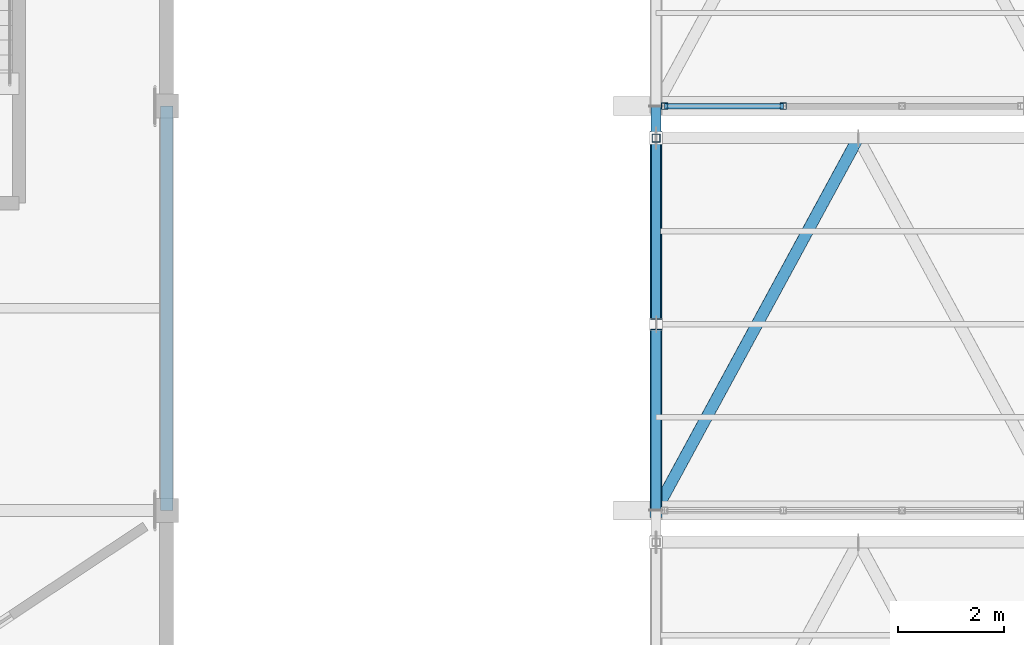
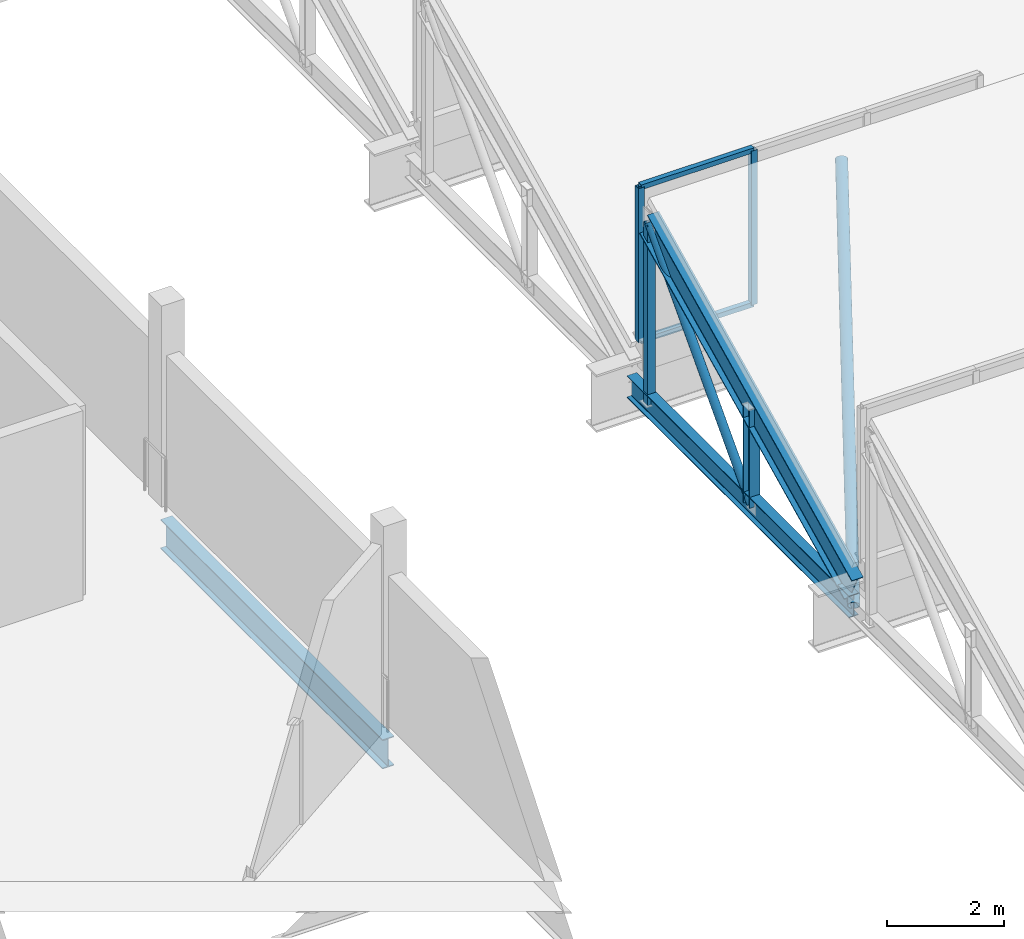
# One storey, part 10 of 57: 10 members, 1 beam, 1 element without a shape of its own.
"""IFC4 building model written with IfcOpenShell, lengths in metres."""

from ifc_helpers import new_model, si_unit, direction, frame, origin, origin_2d, place, context, subcontext, project, spatial, hollow_rectangle, hollow_circle, i_section, extrude, material, material_profile, profile_set, type_object, element, aggregate, save


model = new_model("IFC4")

# Units and contexts
model_context = context("Model", 3, precision=1e-05, world=origin(), true_north=direction((0.0, 1.0)))
body_context = subcontext(model_context, "Body", "Model", "MODEL_VIEW")
ifc_project = project(units=[si_unit("LENGTHUNIT", "METRE"), si_unit("AREAUNIT", "SQUARE_METRE"), si_unit("VOLUMEUNIT", "CUBIC_METRE"), si_unit("PLANEANGLEUNIT", "RADIAN"), si_unit("MASSUNIT", "GRAM", prefix="KILO")], contexts=[model_context])

# Site, building, storey
site_placement = place(None, origin())
site = spatial("IfcSite", under=ifc_project, at=site_placement, CompositionType="ELEMENT")
building_placement = place(site_placement, origin())
building = spatial("IfcBuilding", under=site, at=building_placement, Name="Zuvorla Pavilion Media Centre", CompositionType="ELEMENT")
storey_placement = place(building_placement, frame((0.0, 0.0, 18.0)))
storey = spatial("IfcBuildingStorey", under=building, at=storey_placement, Name="L04", CompositionType="ELEMENT", Elevation=18.0)

# Beam
ifc_material_1 = material(Name="Steel S355", Category="steel")
ifc_material_profile_1 = material_profile(ifc_material_1, i_section(OverallWidth=0.22900390625, OverallDepth=0.6123046875, WebThickness=0.011962890625, FlangeThickness=0.01953125, FilletRadius=0.0126953125, at=origin_2d()), Name="UB 610x229x125")
ifc_profile_set_1 = profile_set([ifc_material_profile_1], Name="Steel S355")
beam_type = type_object("IfcBeamType", Name="BM-UB610", PredefinedType="BEAM", material=ifc_profile_set_1)
beam_placement = place(storey_placement, frame((108.800048828125, 21.199951171875, -0.734130859375), z_axis=(0.0, 1.0, 0.0), x_axis=(-1.0, 0.0, 0.0)))
element("IfcBeam", 1, at=beam_placement, inside=storey, type_object=beam_type, Name="L04 beam B07 1451", PredefinedType="BEAM", context=body_context, shape_type="SweptSolid", body=[
    extrude(i_section(OverallWidth=0.22900390625, OverallDepth=0.6123046875, WebThickness=0.011962890625, FlangeThickness=0.01953125, FilletRadius=0.0126953125, at=origin_2d()), origin(), (0.0, 0.0, 1.0), 7.60009765625),
])

# Curtain wall, members
ifc_material_2 = material(Name="Unitised anodised aluminium and solar glass curtain wall", Category="aluminium")
curtain_wall_type = type_object("IfcCurtainWallType", Name="CW-SYS-90", PredefinedType="USERDEFINED", material=ifc_material_2)
curtain_wall_placement = place(storey_placement, origin())
curtain_wall = element("IfcCurtainWall", 2, at=curtain_wall_placement, inside=storey, type_object=curtain_wall_type, Name="L04 curtain wall CW90 235", ObjectType="CURTAIN WALL", PredefinedType="USERDEFINED")
ifc_material_3 = material(Name="Anodised aluminium 6063-T6", Category="aluminium")
ifc_material_profile_2 = material_profile(ifc_material_3, hollow_rectangle(XDim=0.1201171875, YDim=0.1201171875, WallThickness=0.0048828125, at=origin_2d()), Name="ALU MULL 120x120")
ifc_profile_set_2 = profile_set([ifc_material_profile_2], Name="Anodised aluminium 6063-T6")
member_type_1 = type_object("IfcMemberType", Name="CW-MULL-120", PredefinedType="MULLION", material=ifc_profile_set_2)
member_1_placement = place(storey_placement, frame((118.159912109375, 28.800048828125, 0.0), z_axis=(0.0, 0.0, 1.0), x_axis=(1.0, 0.0, 0.0)))
member_1 = element("IfcMember", 3, at=member_1_placement, type_object=member_type_1, Name="CW90 mullion 1", PredefinedType="MULLION", context=body_context, shape_type="SweptSolid", body=[
    extrude(hollow_rectangle(XDim=0.1201171875, YDim=0.1201171875, WallThickness=0.0048828125, at=origin_2d()), origin(), (0.0, 0.0, 1.0), 3.219970703125),
])
member_2_placement = place(storey_placement, frame((120.391845703125, 28.800048828125, 0.0), z_axis=(0.0, 0.0, 1.0), x_axis=(1.0, 0.0, 0.0)))
member_2 = element("IfcMember", 4, at=member_2_placement, type_object=member_type_1, Name="CW90 mullion 2", PredefinedType="MULLION", context=body_context, shape_type="SweptSolid", body=[
    extrude(hollow_rectangle(XDim=0.1201171875, YDim=0.1201171875, WallThickness=0.0048828125, at=origin_2d()), origin(), (0.0, 0.0, 1.0), 3.219970703125),
])
ifc_material_profile_3 = material_profile(ifc_material_3, hollow_rectangle(XDim=0.10009765625, YDim=0.10009765625, WallThickness=0.00439453125, at=origin_2d()), Name="ALU TRAN 100x100")
ifc_profile_set_3 = profile_set([ifc_material_profile_3], Name="Anodised aluminium 6063-T6")
member_type_2 = type_object("IfcMemberType", Name="CW-TRAN-100", PredefinedType="USERDEFINED", material=ifc_profile_set_3)
member_3_placement = place(storey_placement, frame((118.159912109375, 28.800048828125, 0.0), z_axis=(1.0, 0.0, 0.0), x_axis=(0.0, 1.0, 0.0)))
member_3 = element("IfcMember", 5, at=member_3_placement, type_object=member_type_2, Name="CW90 transom 1.1", ObjectType="TRANSOM", PredefinedType="USERDEFINED", context=body_context, shape_type="SweptSolid", body=[
    extrude(hollow_rectangle(XDim=0.10009765625, YDim=0.10009765625, WallThickness=0.00439453125, at=origin_2d()), origin(), (0.0, 0.0, 1.0), 2.23193359375),
])
member_4_placement = place(storey_placement, frame((118.159912109375, 28.800048828125, 3.219970703125), z_axis=(1.0, 0.0, 0.0), x_axis=(0.0, 1.0, 0.0)))
member_4 = element("IfcMember", 6, at=member_4_placement, type_object=member_type_2, Name="CW90 transom 1.2", ObjectType="TRANSOM", PredefinedType="USERDEFINED", context=body_context, shape_type="SweptSolid", body=[
    extrude(hollow_rectangle(XDim=0.10009765625, YDim=0.10009765625, WallThickness=0.00439453125, at=origin_2d()), origin(), (0.0, 0.0, 1.0), 2.23193359375),
])
aggregate(curtain_wall, [member_1, member_2, member_3, member_4])

# Members
ifc_material_profile_4 = material_profile(ifc_material_1, hollow_circle(Radius=0.084228515625, WallThickness=0.008056640625, at=origin_2d()), Name="CHS 168.3x8")
ifc_profile_set_4 = profile_set([ifc_material_profile_4], Name="Steel S355")
member_type_3 = type_object("IfcMemberType", Name="MEM-BRC-CHS168", PredefinedType="BRACE", material=ifc_profile_set_4)
member_5_placement = place(storey_placement, frame((118.0, 24.699951171875, -0.8798828125), z_axis=(0.0, 0.681156069412, 0.732138244529), x_axis=(-1.0, 0.0, 0.0)))
element("IfcMember", 7, at=member_5_placement, inside=storey, type_object=member_type_3, Name="L04 diagonal brace TB03 621", PredefinedType="BRACE", context=body_context, shape_type="SweptSolid", body=[
    extrude(hollow_circle(Radius=0.084228515625, WallThickness=0.008056640625, at=origin_2d()), origin(), (0.0, 0.0, 1.0), 5.138427734375),
])
ifc_material_profile_5 = material_profile(ifc_material_1, hollow_circle(Radius=0.109619140625, WallThickness=0.010009765625, at=origin_2d()), Name="CHS 219.1x10")
ifc_profile_set_5 = profile_set([ifc_material_profile_5], Name="Steel S355")
member_type_4 = type_object("IfcMemberType", Name="MEM-BRC-CHS219", PredefinedType="BRACE", material=ifc_profile_set_5)
member_6_placement = place(storey_placement, frame((118.0, 21.199951171875, -0.8798828125), z_axis=(0.431398513672, 0.79467126142, 0.427074827958), x_axis=(-0.878850861224, 0.477096597899, 0.0)))
element("IfcMember", 8, at=member_6_placement, inside=storey, type_object=member_type_4, Name="L04 diagonal brace TB02 649", PredefinedType="BRACE", context=body_context, shape_type="SweptSolid", body=[
    extrude(hollow_circle(Radius=0.109619140625, WallThickness=0.010009765625, at=origin_2d()), origin(), (0.0, 0.0, 1.0), 8.80859375),
])
ifc_material_profile_6 = material_profile(ifc_material_1, i_section(OverallWidth=0.19140625, OverallDepth=0.4599609375, WebThickness=0.010009765625, FlangeThickness=0.01611328125, FilletRadius=0.01025390625, at=origin_2d()), Name="UB 457x191x82")
ifc_profile_set_6 = profile_set([ifc_material_profile_6], Name="Steel S355")
member_type_5 = type_object("IfcMemberType", Name="MEM-CHD-UB457", PredefinedType="CHORD", material=ifc_profile_set_6)
member_7_placement = place(storey_placement, frame((118.0, 21.199951171875, -0.8798828125), z_axis=(0.0, 1.0, 0.0), x_axis=(-1.0, 0.0, 0.0)))
element("IfcMember", 9, at=member_7_placement, inside=storey, type_object=member_type_5, Name="L04 chord TC03 618", PredefinedType="CHORD", context=body_context, shape_type="SweptSolid", body=[
    extrude(i_section(OverallWidth=0.19140625, OverallDepth=0.4599609375, WebThickness=0.010009765625, FlangeThickness=0.01611328125, FilletRadius=0.01025390625, at=origin_2d()), origin(), (0.0, 0.0, 1.0), 7.60009765625),
])
ifc_material_profile_7 = material_profile(ifc_material_1, i_section(OverallWidth=0.22900390625, OverallDepth=0.6123046875, WebThickness=0.011962890625, FlangeThickness=0.01953125, FilletRadius=0.0126953125, at=origin_2d()), Name="UB 610x229x125")
ifc_profile_set_7 = profile_set([ifc_material_profile_7], Name="Steel S355")
member_type_6 = type_object("IfcMemberType", Name="MEM-CHD-UB610", PredefinedType="CHORD", material=ifc_profile_set_7)
member_8_placement = place(storey_placement, frame((118.0, 21.199951171875, -0.517822265625), z_axis=(0.0, 0.899513090263, 0.436893809117), x_axis=(-1.0, 0.0, 0.0)))
element("IfcMember", 10, at=member_8_placement, inside=storey, type_object=member_type_6, Name="L04 chord TC01 619", PredefinedType="CHORD", context=body_context, shape_type="SweptSolid", body=[
    extrude(i_section(OverallWidth=0.22900390625, OverallDepth=0.6123046875, WebThickness=0.011962890625, FlangeThickness=0.01953125, FilletRadius=0.0126953125, at=origin_2d()), origin(), (0.0, 0.0, 1.0), 7.781982421875),
])
ifc_material_profile_8 = material_profile(ifc_material_1, hollow_rectangle(XDim=0.14990234375, YDim=0.14990234375, WallThickness=0.008056640625, at=origin_2d()), Name="SHS 150x150x8")
ifc_profile_set_8 = profile_set([ifc_material_profile_8], Name="Steel S355")
member_type_7 = type_object("IfcMemberType", Name="MEM-STR-SHS150", PredefinedType="STRUT", material=ifc_profile_set_8)
member_9_placement = place(storey_placement, frame((118.0, 28.199951171875, -0.8798828125), z_axis=(0.0, 0.0, 1.0), x_axis=(1.0, 0.0, 0.0)))
element("IfcMember", 11, at=member_9_placement, inside=storey, type_object=member_type_7, Name="L04 vertical strut TS01 620", PredefinedType="STRUT", context=body_context, shape_type="SweptSolid", body=[
    extrude(hollow_rectangle(XDim=0.14990234375, YDim=0.14990234375, WallThickness=0.008056640625, at=origin_2d()), origin(), (0.0, 0.0, 1.0), 3.761962890625),
])
ifc_material_profile_9 = material_profile(ifc_material_1, i_section(OverallWidth=0.205810546875, OverallDepth=0.209716796875, WebThickness=0.009521484375, FlangeThickness=0.01416015625, FilletRadius=0.01025390625, at=origin_2d()), Name="UC 203x203x60")
ifc_profile_set_9 = profile_set([ifc_material_profile_9], Name="Steel S355")
member_type_8 = type_object("IfcMemberType", Name="MEM-STR-UC203", PredefinedType="STRUT", material=ifc_profile_set_9)
member_10_placement = place(storey_placement, frame((118.0, 24.699951171875, -0.8798828125), z_axis=(0.0, 0.0, 1.0), x_axis=(1.0, 0.0, 0.0)))
element("IfcMember", 12, at=member_10_placement, inside=storey, type_object=member_type_8, Name="L04 vertical strut TS02 622", PredefinedType="STRUT", context=body_context, shape_type="SweptSolid", body=[
    extrude(i_section(OverallWidth=0.205810546875, OverallDepth=0.209716796875, WebThickness=0.009521484375, FlangeThickness=0.01416015625, FilletRadius=0.01025390625, at=origin_2d()), origin(), (0.0, 0.0, 1.0), 2.06201171875),
])

save(model, "model.ifc")
